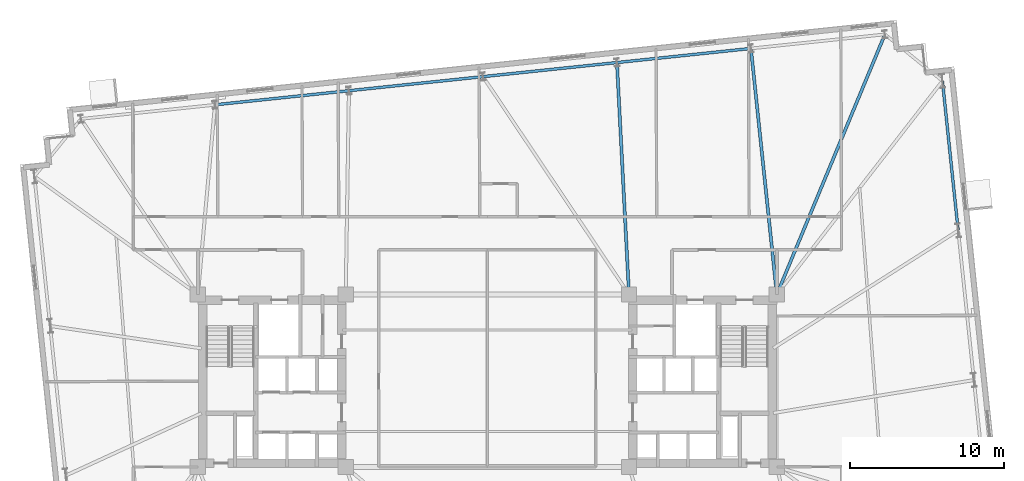
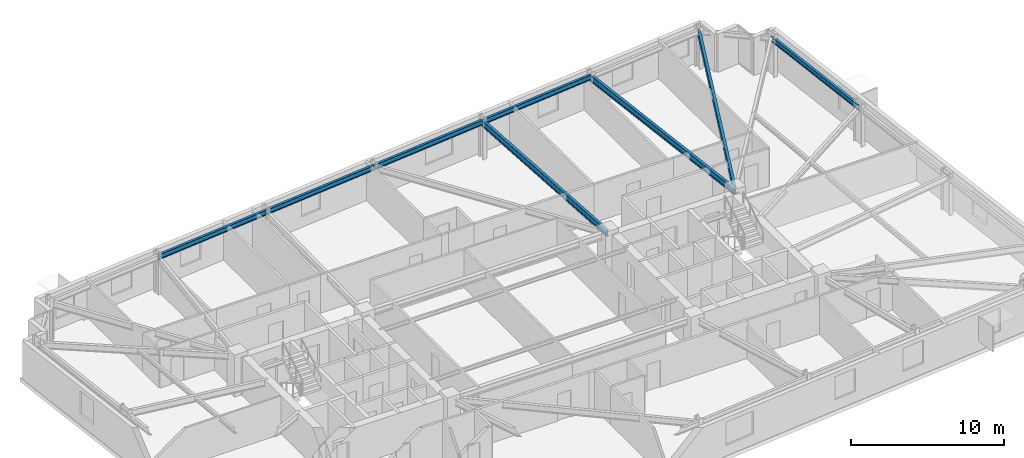
# One storey, part 9 of 18: 8 beams.
"""IFC4 building model written with IfcOpenShell, lengths in metres."""

from ifc_helpers import new_model, si_unit, direction, frame, origin, origin_2d, place, context, subcontext, project, spatial, i_section, extrude, material, material_profile, profile_set, type_object, element, save


model = new_model("IFC4")

# Units and contexts
model_context = context("Model", 3, precision=1e-05, world=origin(), true_north=direction((0.0, 1.0)))
body_context = subcontext(model_context, "Body", "Model", "MODEL_VIEW")
ifc_project = project(units=[si_unit("LENGTHUNIT", "METRE"), si_unit("AREAUNIT", "SQUARE_METRE"), si_unit("VOLUMEUNIT", "CUBIC_METRE"), si_unit("PLANEANGLEUNIT", "RADIAN"), si_unit("MASSUNIT", "GRAM", prefix="KILO")], contexts=[model_context])

# Site, building, storey
site_placement = place(None, origin())
site = spatial("IfcSite", under=ifc_project, at=site_placement, CompositionType="ELEMENT")
building_placement = place(site_placement, origin())
building = spatial("IfcBuilding", under=site, at=building_placement, Name="Qobustan Lattice House", CompositionType="ELEMENT")
storey_placement = place(building_placement, frame((0.0, 0.0, 109.14990234375)))
storey = spatial("IfcBuildingStorey", under=building, at=storey_placement, Name="L30", CompositionType="ELEMENT", Elevation=109.14990234375)

# Beams
ifc_material_1 = material(Name="Steel S355", Category="steel")
ifc_material_profile_1 = material_profile(ifc_material_1, i_section(OverallWidth=0.199951171875, OverallDepth=0.5, WebThickness=0.01025390625, FlangeThickness=0.01611328125, FilletRadius=0.02099609375, at=origin_2d()), Name="IPE500")
ifc_profile_set_1 = profile_set([ifc_material_profile_1], Name="Steel S355")
beam_type_1 = type_object("IfcBeamType", Name="BM-FLG-IPE500", PredefinedType="USERDEFINED", material=ifc_profile_set_1)
beam_1_placement = place(storey_placement, frame((8.41650390625, 20.640625, 2.795166015625), z_axis=(0.052023629628, -0.998645854125, 0.0), x_axis=(0.998645854125, 0.052023629628, 0.0)))
element("IfcBeam", 1, at=beam_1_placement, inside=storey, type_object=beam_type_1, Name="L30 primary floor girder RAD-N3", ObjectType="GIRDER", PredefinedType="USERDEFINED", context=body_context, shape_type="SweptSolid", body=[
    extrude(i_section(OverallWidth=0.199951171875, OverallDepth=0.5, WebThickness=0.01025390625, FlangeThickness=0.01611328125, FilletRadius=0.02099609375, at=origin_2d()), origin(), (0.0, 0.0, 1.0), 15.035888671875),
])
beam_2_placement = place(storey_placement, frame((17.1201171875, 21.555419921875, 2.795166015625), z_axis=(0.104706999053, -0.994503114298, 0.0), x_axis=(0.994503114298, 0.104706999053, 0.0)))
element("IfcBeam", 2, at=beam_2_placement, inside=storey, type_object=beam_type_1, Name="L30 primary floor girder RAD-N2", ObjectType="GIRDER", PredefinedType="USERDEFINED", context=body_context, shape_type="SweptSolid", body=[
    extrude(i_section(OverallWidth=0.199951171875, OverallDepth=0.5, WebThickness=0.01025390625, FlangeThickness=0.01611328125, FilletRadius=0.02099609375, at=origin_2d()), origin(), (0.0, 0.0, 1.0), 16.0185546875),
])
beam_3_placement = place(storey_placement, frame((25.809814453125, 22.471923828125, 2.795166015625), z_axis=(-0.383675501465, -0.923467979724, 0.0), x_axis=(0.923467979724, -0.383675501465, 0.0)))
element("IfcBeam", 3, at=beam_3_placement, inside=storey, type_object=beam_type_1, Name="L30 primary floor girder RAD-N1E", ObjectType="GIRDER", PredefinedType="USERDEFINED", context=body_context, shape_type="SweptSolid", body=[
    extrude(i_section(OverallWidth=0.199951171875, OverallDepth=0.5, WebThickness=0.01025390625, FlangeThickness=0.01611328125, FilletRadius=0.02099609375, at=origin_2d()), origin(), (0.0, 0.0, 1.0), 18.2451171875),
])
ifc_material_2 = material(Name="Steel S355", Category="steel")
ifc_material_profile_2 = material_profile(ifc_material_2, i_section(OverallWidth=0.179931640625, OverallDepth=0.39990234375, WebThickness=0.008544921875, FlangeThickness=0.013427734375, FilletRadius=0.02099609375, at=origin_2d()), Name="IPE400")
ifc_profile_set_2 = profile_set([ifc_material_profile_2], Name="Steel S355")
beam_type_2 = type_object("IfcBeamType", Name="BM-SPD-IPE400", PredefinedType="SPANDREL", material=ifc_profile_set_2)
beam_4_placement = place(storey_placement, frame((30.574462890625, 9.78076171875, 2.84521484375), z_axis=(-0.104525214252, 0.994522236848, 0.0), x_axis=(-0.994522236848, -0.104525214252, 0.0)))
element("IfcBeam", 4, at=beam_4_placement, inside=storey, type_object=beam_type_2, Name="L30 perimeter spandrel E3-E4", PredefinedType="SPANDREL", context=body_context, shape_type="SweptSolid", body=[
    extrude(i_section(OverallWidth=0.179931640625, OverallDepth=0.39990234375, WebThickness=0.008544921875, FlangeThickness=0.013427734375, FilletRadius=0.02099609375, at=origin_2d()), origin(), (0.0, 0.0, 1.0), 9.716552734375),
])
beam_5_placement = place(storey_placement, frame((17.092529296875, 21.577880859375, 2.84521484375), z_axis=(-0.994518668742, -0.104559158006, 0.0), x_axis=(0.104559158006, -0.994518668742, 0.0)))
element("IfcBeam", 5, at=beam_5_placement, inside=storey, type_object=beam_type_2, Name="L30 perimeter spandrel N2-N3", PredefinedType="SPANDREL", context=body_context, shape_type="SweptSolid", body=[
    extrude(i_section(OverallWidth=0.179931640625, OverallDepth=0.39990234375, WebThickness=0.008544921875, FlangeThickness=0.013427734375, FilletRadius=0.02099609375, at=origin_2d()), origin(), (0.0, 0.0, 1.0), 8.699951171875),
])
beam_6_placement = place(storey_placement, frame((8.390380859375, 20.6630859375, 2.84521484375), z_axis=(-0.994521279781, -0.10453432002, 0.0), x_axis=(0.10453432002, -0.994521279781, 0.0)))
element("IfcBeam", 6, at=beam_6_placement, inside=storey, type_object=beam_type_2, Name="L30 perimeter spandrel N3-N4", PredefinedType="SPANDREL", context=body_context, shape_type="SweptSolid", body=[
    extrude(i_section(OverallWidth=0.179931640625, OverallDepth=0.39990234375, WebThickness=0.008544921875, FlangeThickness=0.013427734375, FilletRadius=0.02099609375, at=origin_2d()), origin(), (0.0, 0.0, 1.0), 8.69970703125),
])
for number, where, z_axis, x_axis, name in (
    (7, (-0.3115234375, 19.74853515625, 2.84521484375), (-0.994521586424, -0.104531402636, 0.0), (0.104531402636, -0.994521586424, 0.0), "L30 perimeter spandrel N4-N5"),
    (8, (-9.013671875, 18.833984375, 2.84521484375), (-0.994521586424, -0.104531402636, 0.0), (0.104531402636, -0.994521586424, 0.0), "L30 perimeter spandrel N5-N6"),
):
    element("IfcBeam", number, at=place(storey_placement, frame(where, z_axis=z_axis, x_axis=x_axis)), inside=storey, type_object=beam_type_2, Name=name, PredefinedType="SPANDREL", context=body_context, shape_type="SweptSolid", body=[
        extrude(i_section(OverallWidth=0.179931640625, OverallDepth=0.39990234375, WebThickness=0.008544921875, FlangeThickness=0.013427734375, FilletRadius=0.02099609375, at=origin_2d()), origin(), (0.0, 0.0, 1.0), 8.699951171875),
    ])

save(model, "model.ifc")
